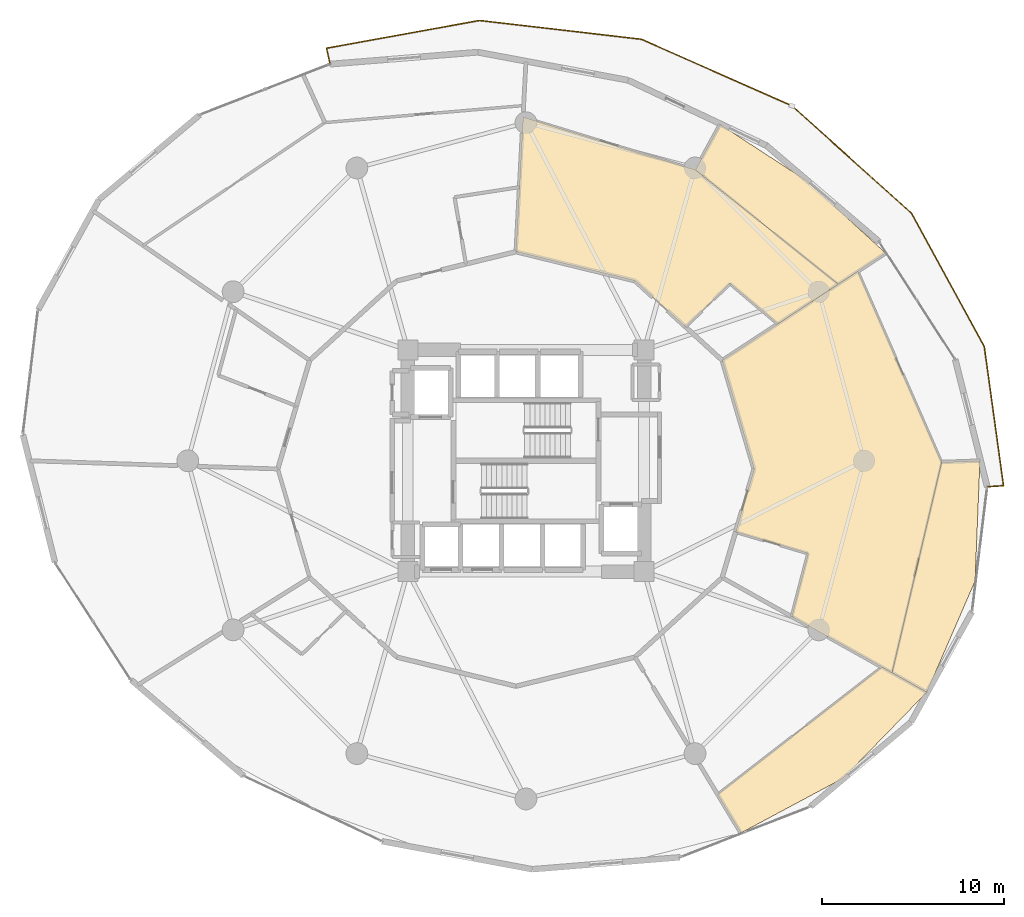
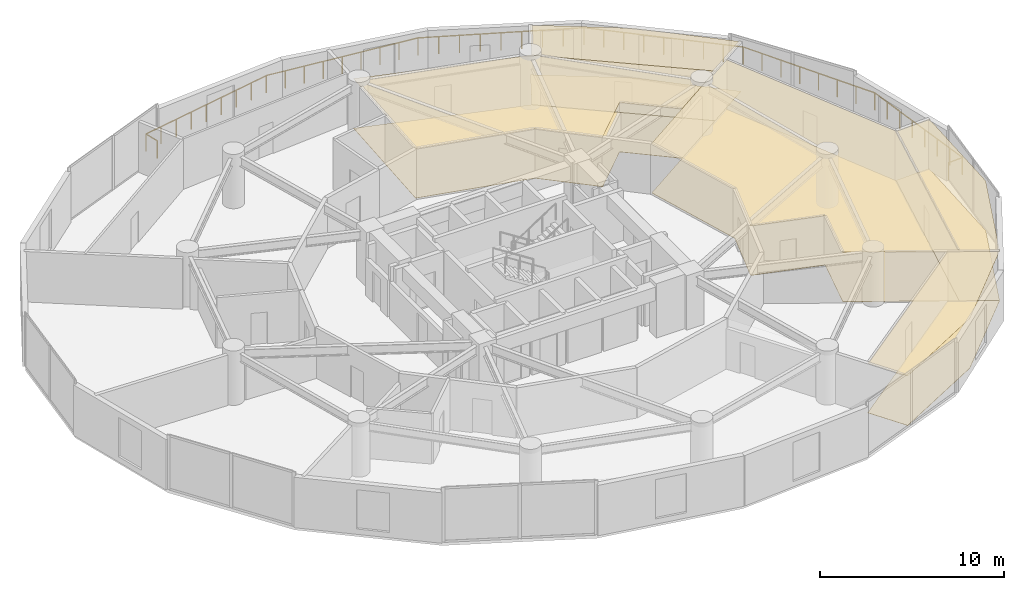
# One storey, part 26 of 26: 10 coverings, 1 railing.
"""IFC4 building model written with IfcOpenShell, lengths in metres."""

from ifc_helpers import new_model, si_unit, direction, frame, origin, origin_2d, place, context, subcontext, project, spatial, polyline, circle, outline, extrude, material, layer, layer_set, type_object, element, save


model = new_model("IFC4")

# Units and contexts
model_context = context("Model", 3, precision=1e-05, world=origin(), true_north=direction((0.0, 1.0)))
body_context = subcontext(model_context, "Body", "Model", "MODEL_VIEW")
ifc_project = project(units=[si_unit("LENGTHUNIT", "METRE"), si_unit("AREAUNIT", "SQUARE_METRE"), si_unit("VOLUMEUNIT", "CUBIC_METRE"), si_unit("PLANEANGLEUNIT", "RADIAN"), si_unit("MASSUNIT", "GRAM", prefix="KILO")], contexts=[model_context])

# Site, building, storey
site_placement = place(None, origin())
site = spatial("IfcSite", under=ifc_project, at=site_placement, CompositionType="ELEMENT")
building_placement = place(site_placement, origin())
building = spatial("IfcBuilding", under=site, at=building_placement, Name="Solvirekh Grand Hotel", CompositionType="ELEMENT")
storey_placement = place(building_placement, frame((0.0, 0.0, 68.0)))
storey = spatial("IfcBuildingStorey", under=building, at=storey_placement, Name="L16", CompositionType="ELEMENT", Elevation=68.0)

# Coverings
ifc_material_1 = material(Name="Acoustic Mineral Ceiling Tile")
ifc_layer_1 = layer(ifc_material_1, 0.02490234375)
ifc_layer_set_1 = layer_set([ifc_layer_1], Name="Acoustic Mineral Ceiling Tile")
covering_type_1 = type_object("IfcCoveringType", Name="Cov_Ceiling_Acoustic", PredefinedType="CEILING", material=ifc_layer_set_1)
covering_1_placement = place(storey_placement, frame((0.0, 0.0, 3.2900390625)))
element("IfcCovering", 1, at=covering_1_placement, inside=storey, type_object=covering_type_1, Name="L16 Presidential Suite 1801 Master Bedroom acoustic ceiling", PredefinedType="CEILING", context=body_context, shape_type="SweptSolid", body=[
    extrude(outline(polyline([(11.821044921875, -20.47412109375), (17.45703125, -17.45703125), (22.051025390625, -12.73095703125), (19.574951171875, -11.343994140625), (10.5400390625, -18.345947265625), (11.821044921875, -20.47412109375)])), origin(), (0.0, 0.0, 1.0), 0.01806640625),
])
covering_2_placement = place(storey_placement, frame((0.0, 0.0, 3.2900390625)))
element("IfcCovering", 2, at=covering_2_placement, inside=storey, type_object=covering_type_1, Name="L16 Executive Suite 1802 Living Room acoustic ceiling", PredefinedType="CEILING", context=body_context, shape_type="SweptSolid", body=[
    extrude(outline(polyline([(15.52587890625, -5.094970703125), (14.6220703125, -8.569091796875), (20.136962890625, -11.658935546875), (22.863037109375, -0.076904296875), (18.258056640625, 10.4208984375), (10.794921875, 5.52490234375), (12.550048828125, -0.449951171875), (11.531982421875, -3.916015625), (15.52587890625, -5.094970703125)])), origin(), (0.0, 0.0, 1.0), 0.01806640625),
])
covering_3_placement = place(storey_placement, frame((0.0, 0.0, 3.2900390625)))
element("IfcCovering", 3, at=covering_3_placement, inside=storey, type_object=covering_type_1, Name="L16 Executive Suite 1802 Master Bedroom acoustic ceiling", PredefinedType="CEILING", context=body_context, shape_type="SweptSolid", body=[
    extrude(outline(polyline([(22.051025390625, -12.73095703125), (24.705078125, -6.6201171875), (24.97509765625, 0.0), (22.863037109375, -0.076904296875), (20.136962890625, -11.658935546875), (22.051025390625, -12.73095703125)])), origin(), (0.0, 0.0, 1.0), 0.01806640625),
])
covering_4_placement = place(storey_placement, frame((0.0, 0.0, 3.2900390625)))
element("IfcCovering", 4, at=covering_4_placement, inside=storey, type_object=covering_type_1, Name="L16 Executive Suite 1803 Living Room acoustic ceiling", PredefinedType="CEILING", context=body_context, shape_type="SweptSolid", body=[
    extrude(outline(polyline([(11.222900390625, 9.7529296875), (13.85205078125, 7.531005859375), (17.178955078125, 9.712890625), (9.323974609375, 16.0048828125), (-0.159912109375, 18.9130859375), (-0.550048828125, 11.5), (6.0, 9.89892578125), (8.781005859375, 7.362060546875), (11.222900390625, 9.7529296875)])), origin(), (0.0, 0.0, 1.0), 0.01806640625),
])
covering_5_placement = place(storey_placement, frame((0.0, 0.0, 3.2900390625)))
element("IfcCovering", 5, at=covering_5_placement, inside=storey, type_object=covering_type_1, Name="L16 Executive Suite 1803 Master Bedroom acoustic ceiling", PredefinedType="CEILING", context=body_context, shape_type="SweptSolid", body=[
    extrude(outline(polyline([(19.785888671875, 11.424072265625), (15.4189453125, 15.4189453125), (10.680908203125, 18.4990234375), (9.323974609375, 16.0048828125), (17.178955078125, 9.712890625), (19.785888671875, 11.424072265625)])), origin(), (0.0, 0.0, 1.0), 0.01806640625),
])
ifc_material_2 = material(Name="Porcelain Stoneware Flooring", Category="masonry")
ifc_layer_2 = layer(ifc_material_2, 0.030029296875)
ifc_layer_set_2 = layer_set([ifc_layer_2], Name="Porcelain Stoneware Flooring")
covering_type_2 = type_object("IfcCoveringType", Name="Cov_Floor_Stone", PredefinedType="FLOORING", material=ifc_layer_set_2)
covering_6_placement = place(storey_placement, origin())
element("IfcCovering", 6, at=covering_6_placement, inside=storey, type_object=covering_type_2, Name="L16 Presidential Suite 1801 Master Bedroom polished granite flooring", PredefinedType="FLOORING", context=body_context, shape_type="SweptSolid", body=[
    extrude(outline(polyline([(11.821044921875, -20.47412109375), (17.45703125, -17.45703125), (22.051025390625, -12.73095703125), (19.574951171875, -11.343994140625), (10.5400390625, -18.345947265625), (11.821044921875, -20.47412109375)])), origin(), (0.0, 0.0, 1.0), 0.02001953125),
])
covering_7_placement = place(storey_placement, origin())
element("IfcCovering", 7, at=covering_7_placement, inside=storey, type_object=covering_type_2, Name="L16 Executive Suite 1802 Living Room polished granite flooring", PredefinedType="FLOORING", context=body_context, shape_type="SweptSolid", body=[
    extrude(outline(polyline([(15.52587890625, -5.094970703125), (14.6220703125, -8.569091796875), (20.136962890625, -11.658935546875), (22.863037109375, -0.076904296875), (18.258056640625, 10.4208984375), (10.794921875, 5.52490234375), (12.550048828125, -0.449951171875), (11.531982421875, -3.916015625), (15.52587890625, -5.094970703125)])), origin(), (0.0, 0.0, 1.0), 0.02001953125),
])
covering_8_placement = place(storey_placement, origin())
element("IfcCovering", 8, at=covering_8_placement, inside=storey, type_object=covering_type_2, Name="L16 Executive Suite 1802 Master Bedroom polished granite flooring", PredefinedType="FLOORING", context=body_context, shape_type="SweptSolid", body=[
    extrude(outline(polyline([(22.051025390625, -12.73095703125), (24.705078125, -6.6201171875), (24.97509765625, 0.0), (22.863037109375, -0.076904296875), (20.136962890625, -11.658935546875), (22.051025390625, -12.73095703125)])), origin(), (0.0, 0.0, 1.0), 0.02001953125),
])
covering_9_placement = place(storey_placement, origin())
element("IfcCovering", 9, at=covering_9_placement, inside=storey, type_object=covering_type_2, Name="L16 Executive Suite 1803 Living Room polished granite flooring", PredefinedType="FLOORING", context=body_context, shape_type="SweptSolid", body=[
    extrude(outline(polyline([(11.222900390625, 9.7529296875), (13.85205078125, 7.531005859375), (17.178955078125, 9.712890625), (9.323974609375, 16.0048828125), (-0.159912109375, 18.9130859375), (-0.550048828125, 11.5), (6.0, 9.89892578125), (8.781005859375, 7.362060546875), (11.222900390625, 9.7529296875)])), origin(), (0.0, 0.0, 1.0), 0.02001953125),
])
covering_10_placement = place(storey_placement, origin())
element("IfcCovering", 10, at=covering_10_placement, inside=storey, type_object=covering_type_2, Name="L16 Executive Suite 1803 Master Bedroom polished granite flooring", PredefinedType="FLOORING", context=body_context, shape_type="SweptSolid", body=[
    extrude(outline(polyline([(19.785888671875, 11.424072265625), (15.4189453125, 15.4189453125), (10.680908203125, 18.4990234375), (9.323974609375, 16.0048828125), (17.178955078125, 9.712890625), (19.785888671875, 11.424072265625)])), origin(), (0.0, 0.0, 1.0), 0.02001953125),
])

# Railing
ifc_material_3 = material(Name="Anodized Bronze Aluminium 6063-T6", Category="aluminium")
railing_type = type_object("IfcRailingType", Name="Guard_ExtGlass_1150", PredefinedType="BALUSTRADE", material=ifc_material_3)
railing_placement = place(storey_placement, frame((25.375, -1.431884765625, 0.0)))
element("IfcRailing", 11, at=railing_placement, inside=storey, type_object=railing_type, Name="L16 balc perimeter glass balustrade", PredefinedType="BALUSTRADE", context=body_context, shape_type="SweptSolid", body=[
    extrude(circle(Radius=0.02392578125, at=origin_2d()), frame((0.0, 0.0, 1.1259765625), z_axis=(0.997788757532, 0.066464993365, 0.0), x_axis=(-0.066464993365, 0.997788757532, 0.0)), (0.0, 0.0, 1.0), 0.89990234375),
    extrude(circle(Radius=0.02392578125, at=origin_2d()), frame((0.89794921875, 0.059814453125, 1.1259765625), z_axis=(-0.136907648451, 0.990583815634, 0.0), x_axis=(-0.990583815634, -0.136907648451, 0.0)), (0.0, 0.0, 1.0), 7.73388671875),
    extrude(circle(Radius=0.02392578125, at=origin_2d()), frame((-0.160888671875, 7.720947265625, 1.1259765625), z_axis=(-0.479701306884, 0.877431852723, 0.0), x_axis=(-0.877431852723, -0.479701306884, 0.0)), (0.0, 0.0, 1.0), 8.357421875),
    extrude(circle(Radius=0.02392578125, at=origin_2d()), frame((-4.169921875, 15.053955078125, 1.1259765625), z_axis=(-0.743789920058, 0.66841346098, 0.0), x_axis=(-0.66841346098, -0.743789920058, 0.0)), (0.0, 0.0, 1.0), 8.8359375),
    extrude(circle(Radius=0.02392578125, at=origin_2d()), frame((-10.741943359375, 20.9599609375, 1.1259765625), z_axis=(-0.914624486047, 0.404304402058, 0.0), x_axis=(-0.404304402058, -0.914624486047, 0.0)), (0.0, 0.0, 1.0), 9.05712890625),
    extrude(circle(Radius=0.02392578125, at=origin_2d()), frame((-19.02587890625, 24.621826171875, 1.1259765625), z_axis=(-0.993339458169, 0.115224653804, 0.0), x_axis=(-0.115224653804, -0.993339458169, 0.0)), (0.0, 0.0, 1.0), 8.96484375),
    extrude(circle(Radius=0.02392578125, at=origin_2d()), frame((-27.930908203125, 25.65478515625, 1.1259765625), z_axis=(-0.98393834144, -0.178508655934, 0.0), x_axis=(0.178508655934, -0.98393834144, 0.0)), (0.0, 0.0, 1.0), 8.553466796875),
    extrude(circle(Radius=0.02392578125, at=origin_2d()), frame((-36.346923828125, 24.1279296875, 1.1259765625), z_axis=(0.220002751084, -0.975499251417, 0.0), x_axis=(0.975499251417, 0.220002751084, 0.0)), (0.0, 0.0, 1.0), 0.89990234375),
    extrude(circle(Radius=0.02099609375, at=origin_2d()), origin(), (0.0, 0.0, 1.0), 1.101806640625),
    extrude(circle(Radius=0.02099609375, at=origin_2d()), frame((0.89794921875, 0.059814453125, 0.0)), (0.0, 0.0, 1.0), 1.101806640625),
    extrude(circle(Radius=0.02099609375, at=origin_2d()), frame((0.74658203125, 1.154296875, 0.0)), (0.0, 0.0, 1.0), 1.101806640625),
    extrude(circle(Radius=0.02099609375, at=origin_2d()), frame((0.595458984375, 2.248779296875, 0.0)), (0.0, 0.0, 1.0), 1.101806640625),
    extrude(circle(Radius=0.02099609375, at=origin_2d()), frame((0.444091796875, 3.34326171875, 0.0)), (0.0, 0.0, 1.0), 1.101806640625),
    extrude(circle(Radius=0.02099609375, at=origin_2d()), frame((0.29296875, 4.4375, 0.0)), (0.0, 0.0, 1.0), 1.101806640625),
    extrude(circle(Radius=0.02099609375, at=origin_2d()), frame((0.1416015625, 5.531982421875, 0.0)), (0.0, 0.0, 1.0), 1.101806640625),
    extrude(circle(Radius=0.02099609375, at=origin_2d()), frame((-0.009521484375, 6.62646484375, 0.0)), (0.0, 0.0, 1.0), 1.101806640625),
    extrude(circle(Radius=0.02099609375, at=origin_2d()), frame((-0.160888671875, 7.720947265625, 0.0)), (0.0, 0.0, 1.0), 1.101806640625),
    extrude(circle(Radius=0.02099609375, at=origin_2d()), frame((-0.733642578125, 8.7685546875, 0.0)), (0.0, 0.0, 1.0), 1.101806640625),
    extrude(circle(Radius=0.02099609375, at=origin_2d()), frame((-1.306396484375, 9.816162109375, 0.0)), (0.0, 0.0, 1.0), 1.101806640625),
    extrude(circle(Radius=0.02099609375, at=origin_2d()), frame((-1.879150390625, 10.86376953125, 0.0)), (0.0, 0.0, 1.0), 1.101806640625),
    extrude(circle(Radius=0.02099609375, at=origin_2d()), frame((-2.45166015625, 11.9111328125, 0.0)), (0.0, 0.0, 1.0), 1.101806640625),
    extrude(circle(Radius=0.02099609375, at=origin_2d()), frame((-3.0244140625, 12.958740234375, 0.0)), (0.0, 0.0, 1.0), 1.101806640625),
    extrude(circle(Radius=0.02099609375, at=origin_2d()), frame((-3.59716796875, 14.00634765625, 0.0)), (0.0, 0.0, 1.0), 1.101806640625),
    extrude(circle(Radius=0.02099609375, at=origin_2d()), frame((-4.169921875, 15.053955078125, 0.0)), (0.0, 0.0, 1.0), 1.101806640625),
    extrude(circle(Radius=0.02099609375, at=origin_2d()), frame((-4.991455078125, 15.792236328125, 0.0)), (0.0, 0.0, 1.0), 1.101806640625),
    extrude(circle(Radius=0.02099609375, at=origin_2d()), frame((-5.81298828125, 16.530517578125, 0.0)), (0.0, 0.0, 1.0), 1.101806640625),
    extrude(circle(Radius=0.02099609375, at=origin_2d()), frame((-6.634521484375, 17.268798828125, 0.0)), (0.0, 0.0, 1.0), 1.101806640625),
    extrude(circle(Radius=0.02099609375, at=origin_2d()), frame((-7.4560546875, 18.0068359375, 0.0)), (0.0, 0.0, 1.0), 1.101806640625),
    extrude(circle(Radius=0.02099609375, at=origin_2d()), frame((-8.27734375, 18.7451171875, 0.0)), (0.0, 0.0, 1.0), 1.101806640625),
    extrude(circle(Radius=0.02099609375, at=origin_2d()), frame((-9.098876953125, 19.4833984375, 0.0)), (0.0, 0.0, 1.0), 1.101806640625),
    extrude(circle(Radius=0.02099609375, at=origin_2d()), frame((-9.92041015625, 20.2216796875, 0.0)), (0.0, 0.0, 1.0), 1.101806640625),
    extrude(circle(Radius=0.02099609375, at=origin_2d()), frame((-10.741943359375, 20.9599609375, 0.0)), (0.0, 0.0, 1.0), 1.101806640625),
    extrude(circle(Radius=0.02099609375, at=origin_2d()), frame((-11.77734375, 21.417724609375, 0.0)), (0.0, 0.0, 1.0), 1.101806640625),
    extrude(circle(Radius=0.02099609375, at=origin_2d()), frame((-12.81298828125, 21.87548828125, 0.0)), (0.0, 0.0, 1.0), 1.101806640625),
    extrude(circle(Radius=0.02099609375, at=origin_2d()), frame((-13.848388671875, 22.333251953125, 0.0)), (0.0, 0.0, 1.0), 1.101806640625),
    extrude(circle(Radius=0.02099609375, at=origin_2d()), frame((-14.8837890625, 22.791015625, 0.0)), (0.0, 0.0, 1.0), 1.101806640625),
    extrude(circle(Radius=0.02099609375, at=origin_2d()), frame((-15.91943359375, 23.24853515625, 0.0)), (0.0, 0.0, 1.0), 1.101806640625),
    extrude(circle(Radius=0.02099609375, at=origin_2d()), frame((-16.954833984375, 23.706298828125, 0.0)), (0.0, 0.0, 1.0), 1.101806640625),
    extrude(circle(Radius=0.02099609375, at=origin_2d()), frame((-17.990478515625, 24.1640625, 0.0)), (0.0, 0.0, 1.0), 1.101806640625),
    extrude(circle(Radius=0.02099609375, at=origin_2d()), frame((-19.02587890625, 24.621826171875, 0.0)), (0.0, 0.0, 1.0), 1.101806640625),
    extrude(circle(Radius=0.02099609375, at=origin_2d()), frame((-20.138916015625, 24.7509765625, 0.0)), (0.0, 0.0, 1.0), 1.101806640625),
    extrude(circle(Radius=0.02099609375, at=origin_2d()), frame((-21.252197265625, 24.880126953125, 0.0)), (0.0, 0.0, 1.0), 1.101806640625),
    extrude(circle(Radius=0.02099609375, at=origin_2d()), frame((-22.365234375, 25.00927734375, 0.0)), (0.0, 0.0, 1.0), 1.101806640625),
    extrude(circle(Radius=0.02099609375, at=origin_2d()), frame((-23.478515625, 25.13818359375, 0.0)), (0.0, 0.0, 1.0), 1.101806640625),
    extrude(circle(Radius=0.02099609375, at=origin_2d()), frame((-24.591552734375, 25.267333984375, 0.0)), (0.0, 0.0, 1.0), 1.101806640625),
    extrude(circle(Radius=0.02099609375, at=origin_2d()), frame((-25.70458984375, 25.396484375, 0.0)), (0.0, 0.0, 1.0), 1.101806640625),
    extrude(circle(Radius=0.02099609375, at=origin_2d()), frame((-26.81787109375, 25.525634765625, 0.0)), (0.0, 0.0, 1.0), 1.101806640625),
    extrude(circle(Radius=0.02099609375, at=origin_2d()), frame((-27.930908203125, 25.65478515625, 0.0)), (0.0, 0.0, 1.0), 1.101806640625),
    extrude(circle(Radius=0.02099609375, at=origin_2d()), frame((-28.98291015625, 25.4638671875, 0.0)), (0.0, 0.0, 1.0), 1.101806640625),
    extrude(circle(Radius=0.02099609375, at=origin_2d()), frame((-30.034912109375, 25.27294921875, 0.0)), (0.0, 0.0, 1.0), 1.101806640625),
    extrude(circle(Radius=0.02099609375, at=origin_2d()), frame((-31.0869140625, 25.082275390625, 0.0)), (0.0, 0.0, 1.0), 1.101806640625),
    extrude(circle(Radius=0.02099609375, at=origin_2d()), frame((-32.138916015625, 24.891357421875, 0.0)), (0.0, 0.0, 1.0), 1.101806640625),
    extrude(circle(Radius=0.02099609375, at=origin_2d()), frame((-33.19091796875, 24.700439453125, 0.0)), (0.0, 0.0, 1.0), 1.101806640625),
    extrude(circle(Radius=0.02099609375, at=origin_2d()), frame((-34.242919921875, 24.509765625, 0.0)), (0.0, 0.0, 1.0), 1.101806640625),
    extrude(circle(Radius=0.02099609375, at=origin_2d()), frame((-35.294921875, 24.31884765625, 0.0)), (0.0, 0.0, 1.0), 1.101806640625),
    extrude(circle(Radius=0.02099609375, at=origin_2d()), frame((-36.346923828125, 24.1279296875, 0.0)), (0.0, 0.0, 1.0), 1.101806640625),
    extrude(circle(Radius=0.02099609375, at=origin_2d()), frame((-36.14892578125, 23.25, 0.0)), (0.0, 0.0, 1.0), 1.101806640625),
])

save(model, "model.ifc")
